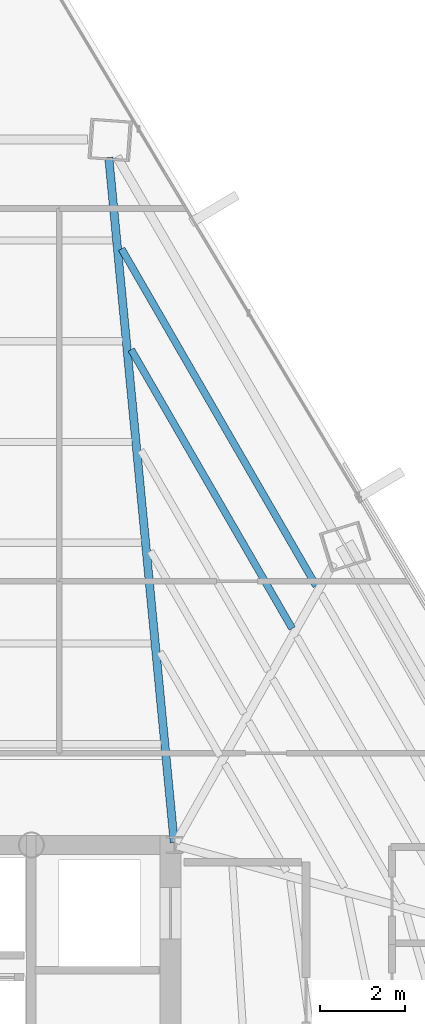
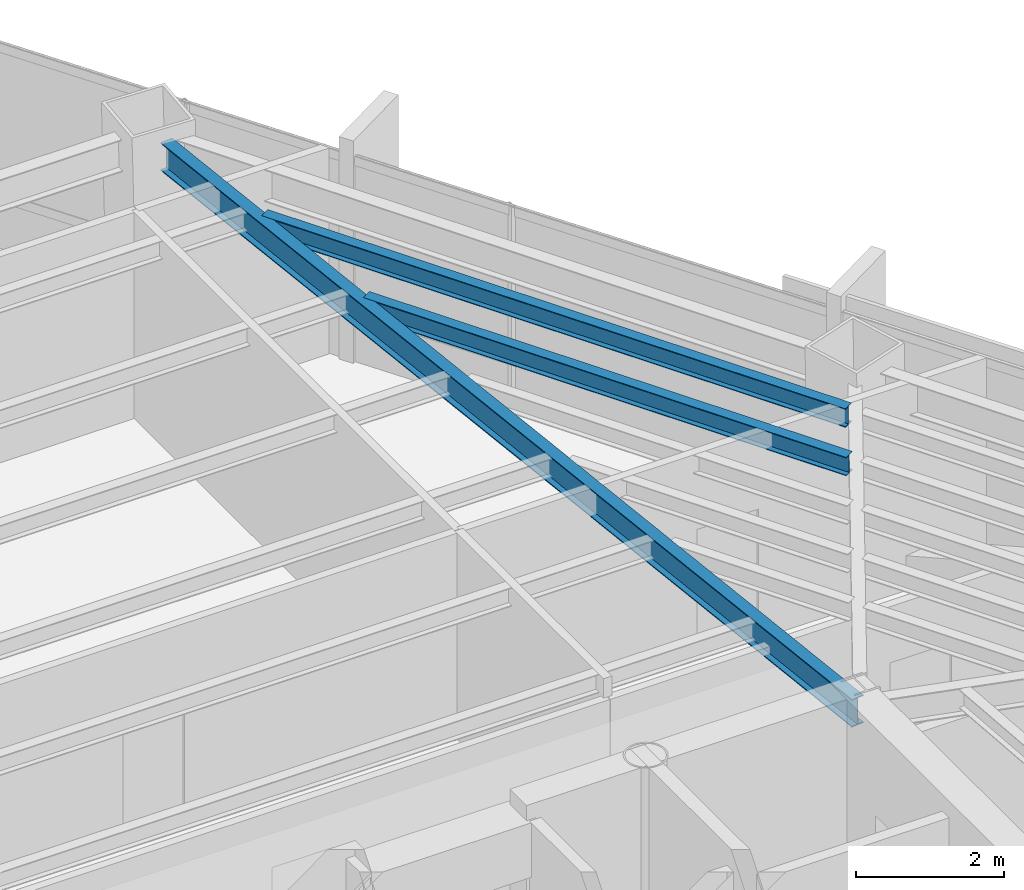
# One storey, part 30 of 41: 3 beams.
"""IFC4 building model written with IfcOpenShell, lengths in metres."""

from ifc_helpers import new_model, si_unit, direction, frame, origin, origin_2d, place, context, subcontext, project, spatial, i_section, extrude, source, transform, mapped, material, material_profile, profile_set, type_object, type_shapes, element, save


model = new_model("IFC4")

# Units and contexts
model_context = context("Model", 3, precision=1e-05, world=origin(), true_north=direction((0.0, 1.0)))
body_context = subcontext(model_context, "Body", "Model", "MODEL_VIEW")
ifc_project = project(units=[si_unit("LENGTHUNIT", "METRE"), si_unit("AREAUNIT", "SQUARE_METRE"), si_unit("VOLUMEUNIT", "CUBIC_METRE"), si_unit("PLANEANGLEUNIT", "RADIAN"), si_unit("MASSUNIT", "GRAM", prefix="KILO")], contexts=[model_context])

# Site, building, storey
site_placement = place(None, origin())
site = spatial("IfcSite", under=ifc_project, at=site_placement, CompositionType="ELEMENT")
building_placement = place(site_placement, origin())
building = spatial("IfcBuilding", under=site, at=building_placement, Name="Caelisora Broadcast Tower", CompositionType="ELEMENT")
storey_placement = place(building_placement, frame((0.0, 0.0, 165.800048828125)))
storey = spatial("IfcBuildingStorey", under=building, at=storey_placement, Name="L43", CompositionType="ELEMENT", Elevation=165.800048828125)

# Beams
ifc_material = material(Name="Steel Grade 350 (AS/NZS 3679.1)", Category="steel")
ifc_material_profile_1 = material_profile(ifc_material, i_section(OverallWidth=0.19091796875, OverallDepth=0.46044921875, WebThickness=0.010009765625, FlangeThickness=0.01611328125, at=origin_2d()), Name="Steel Grade 350 (AS/NZS 3679.1)")
ifc_profile_set_1 = profile_set([ifc_material_profile_1], Name="Steel Grade 350 (AS/NZS 3679.1)")
beam_type_1 = type_object("IfcBeamType", Name="PG06", PredefinedType="BEAM", material=ifc_profile_set_1)
shared_shape_1 = source(origin(), body_context, "Body", "SweptSolid", [
    extrude(i_section(OverallWidth=0.19091796875, OverallDepth=0.46044921875, WebThickness=0.010009765625, FlangeThickness=0.01611328125, at=origin_2d()), origin(), (0.0, 0.0, 1.0), 16.11669921875),
])
type_shapes(beam_type_1, [shared_shape_1])
beam_1_placement = place(storey_placement, frame((45.494384765625, 30.059814453125, 3.169677734375), z_axis=(-0.095025694986, 0.995474820019, 0.0), x_axis=(-0.995474820019, -0.095025694986, 0.0)))
element("IfcBeam", 1, at=beam_1_placement, inside=storey, type_object=beam_type_1, Name="L43 beam PG06", PredefinedType="BEAM", context=body_context, shape_type="MappedRepresentation", body=[
    mapped(shared_shape_1, transform((0.0, 0.0, 0.0), scale=1.0)),
])
ifc_material_profile_2 = material_profile(ifc_material, i_section(OverallWidth=0.166015625, OverallDepth=0.30712890625, WebThickness=0.006591796875, FlangeThickness=0.01171875, at=origin_2d()), Name="Steel Grade 350 (AS/NZS 3679.1)")
ifc_profile_set_2 = profile_set([ifc_material_profile_2], Name="Steel Grade 350 (AS/NZS 3679.1)")
beam_type_2 = type_object("IfcBeamType", Name="SB03", PredefinedType="JOIST", material=ifc_profile_set_2)
shared_shape_2 = source(origin(), body_context, "Body", "SweptSolid", [
    extrude(i_section(OverallWidth=0.166015625, OverallDepth=0.30712890625, WebThickness=0.006591796875, FlangeThickness=0.01171875, at=origin_2d()), origin(), (0.0, 0.0, 1.0), 7.54248046875),
])
beam_2_placement = place(storey_placement, frame((48.25830078125, 35.072509765625, 3.246337890625), z_axis=(-0.499999843364, 0.866025494218, 0.0), x_axis=(-0.866025494218, -0.499999843364, 0.0)))
element("IfcBeam", 2, at=beam_2_placement, inside=storey, type_object=beam_type_2, Name="L43 beam SB03", PredefinedType="JOIST", context=body_context, shape_type="MappedRepresentation", body=[
    mapped(shared_shape_2, transform((0.0, 0.0, 0.0), scale=1.0)),
])
shared_shape_3 = source(origin(), body_context, "Body", "SweptSolid", [
    extrude(i_section(OverallWidth=0.166015625, OverallDepth=0.30712890625, WebThickness=0.006591796875, FlangeThickness=0.01171875, at=origin_2d()), origin(), (0.0, 0.0, 1.0), 9.1181640625),
])
type_shapes(beam_type_2, [shared_shape_2, shared_shape_3])
beam_3_placement = place(storey_placement, frame((48.82080078125, 36.068359375, 3.246337890625), z_axis=(-0.500003672776, 0.866023283296, 0.0), x_axis=(-0.866023283296, -0.500003672776, 0.0)))
element("IfcBeam", 3, at=beam_3_placement, inside=storey, type_object=beam_type_2, Name="L43 beam SB03", PredefinedType="JOIST", context=body_context, shape_type="MappedRepresentation", body=[
    mapped(shared_shape_3, transform((0.0, 0.0, 0.0), scale=1.0)),
])

save(model, "model.ifc")
